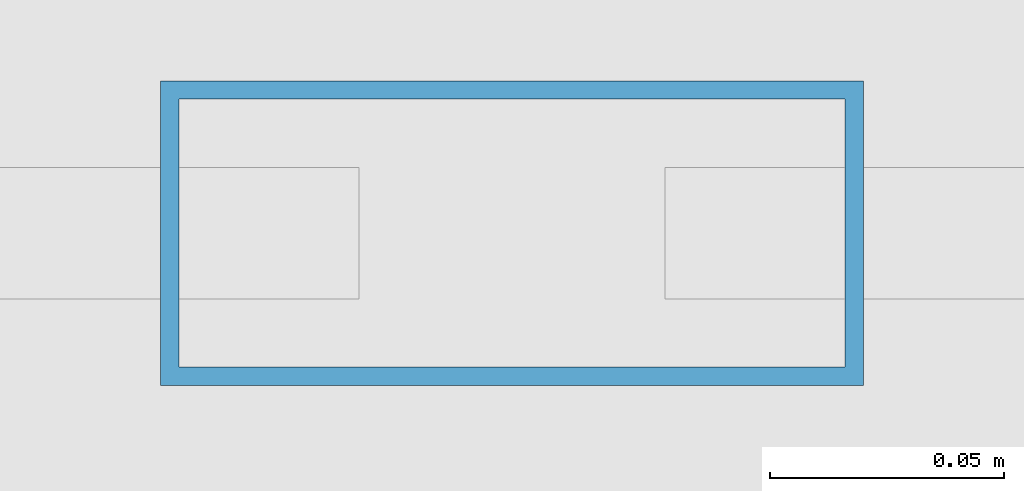
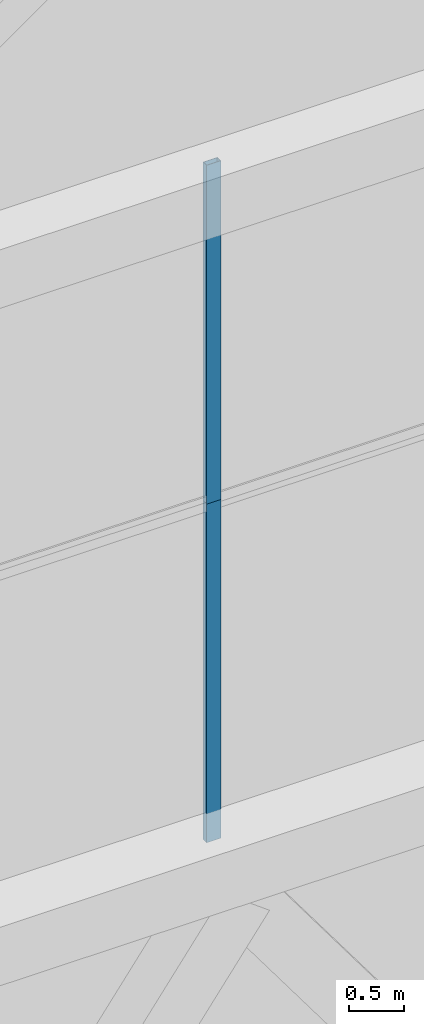
# One storey, part 4 of 28: 2 members, 2 elements without a shape of their own.
"""IFC4 building model written with IfcOpenShell, lengths in metres."""

from ifc_helpers import new_model, si_unit, direction, frame, origin, origin_2d, place, context, subcontext, project, spatial, hollow_rectangle, extrude, material, material_profile, profile_set, type_object, element, aggregate, save


model = new_model("IFC4")

# Units and contexts
model_context = context("Model", 3, precision=1e-05, world=origin(), true_north=direction((0.0, 1.0)))
body_context = subcontext(model_context, "Body", "Model", "MODEL_VIEW")
ifc_project = project(units=[si_unit("LENGTHUNIT", "METRE"), si_unit("AREAUNIT", "SQUARE_METRE"), si_unit("VOLUMEUNIT", "CUBIC_METRE"), si_unit("PLANEANGLEUNIT", "RADIAN"), si_unit("MASSUNIT", "GRAM", prefix="KILO")], contexts=[model_context])

# Site, building, storey
site_placement = place(None, origin())
site = spatial("IfcSite", under=ifc_project, at=site_placement, CompositionType="ELEMENT")
building_placement = place(site_placement, origin())
building = spatial("IfcBuilding", under=site, at=building_placement, Name="Tashvorn Skyway Center", CompositionType="ELEMENT")
storey_placement = place(building_placement, frame((0.0, 0.0, 277.60009765625)))
storey = spatial("IfcBuildingStorey", under=building, at=storey_placement, Name="Roof Level", CompositionType="ELEMENT", Elevation=277.60009765625)

# Curtain wall, member
ifc_material = material(Name="Thermally broken bronze-anodized aluminium 6063-T6", Category="aluminium")
curtain_wall_type = type_object("IfcCurtainWallType", Name="CW-CW-SKY", PredefinedType="NOTDEFINED", material=ifc_material)
curtain_wall_1_placement = place(storey_placement, origin())
curtain_wall_1 = element("IfcCurtainWall", 1, at=curtain_wall_1_placement, inside=storey, type_object=curtain_wall_type, Name="CROWN Lantern Fritted Curtain Wall T1 S-3", PredefinedType="NOTDEFINED")
ifc_material_profile = material_profile(ifc_material, hollow_rectangle(XDim=0.06494140625, YDim=0.14990234375, WallThickness=0.00390625, at=origin_2d()), Name="ALU-MULL-65x150")
ifc_profile_set = profile_set([ifc_material_profile], Name="Thermally broken bronze-anodized aluminium 6063-T6")
member_type = type_object("IfcMemberType", Name="CWM-CW-SKY", PredefinedType="MULLION", material=ifc_profile_set)
member_1_placement = place(storey_placement, frame((42.0, 17.780029296875, 7.52978515625), z_axis=(0.0, 0.0, 1.0), x_axis=(0.0, -1.0, 0.0)))
member_1 = element("IfcMember", 2, at=member_1_placement, type_object=member_type, Name="CW-SKY mullion 2", PredefinedType="MULLION", context=body_context, shape_type="SweptSolid", body=[
    extrude(hollow_rectangle(XDim=0.06494140625, YDim=0.14990234375, WallThickness=0.00390625, at=origin_2d()), origin(), (0.0, 0.0, 1.0), 3.76513671875),
])
aggregate(curtain_wall_1, [member_1])

curtain_wall_2_placement = place(storey_placement, origin())
curtain_wall_2 = element("IfcCurtainWall", 3, at=curtain_wall_2_placement, inside=storey, type_object=curtain_wall_type, Name="CROWN Lantern Fritted Curtain Wall T1 S-4", PredefinedType="NOTDEFINED")
member_2_placement = place(storey_placement, frame((42.0, 17.780029296875, 11.294921875), z_axis=(0.0, 0.0, 1.0), x_axis=(0.0, -1.0, 0.0)))
member_2 = element("IfcMember", 4, at=member_2_placement, type_object=member_type, Name="CW-SKY mullion 2", PredefinedType="MULLION", context=body_context, shape_type="SweptSolid", body=[
    extrude(hollow_rectangle(XDim=0.06494140625, YDim=0.14990234375, WallThickness=0.00390625, at=origin_2d()), origin(), (0.0, 0.0, 1.0), 3.764892578125),
])
aggregate(curtain_wall_2, [member_2])

save(model, "model.ifc")
